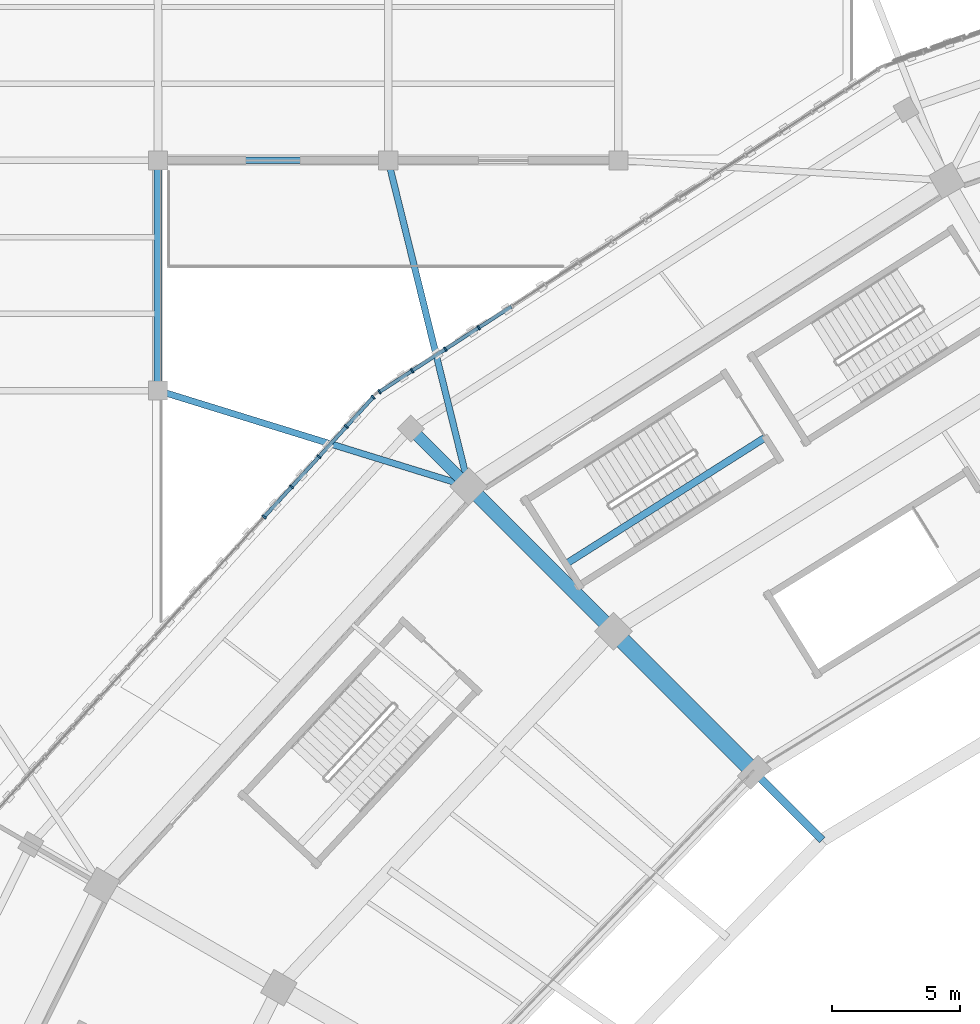
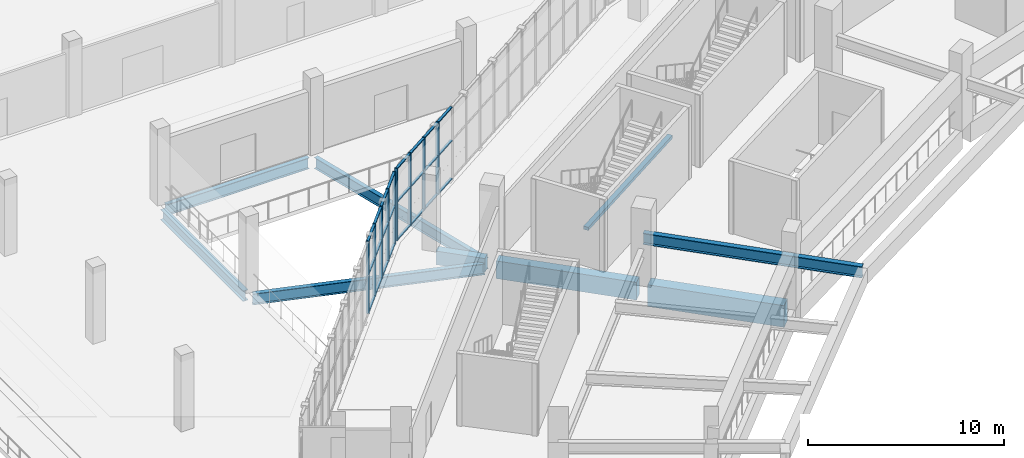
# One storey, part 50 of 179: 33 members, 9 beams, 2 elements without a shape of their own.
"""IFC4 building model written with IfcOpenShell, lengths in metres."""

import ifcopenshell
import ifcopenshell.guid

model = None  # the IFC model being written
_history = None  # IfcOwnerHistory: only IFC2X3 demands one
_inside = {}  # id of a spatial element -> (the spatial element, [elements in it])
_under = {}  # id of a project, library or spatial element -> (it, [spatial elements below it])
_declared = {}  # id of a project -> (the project, [libraries it declares])
_typed = {}  # id of a type object -> (the type object, [elements of that type])
_made_of = {}  # id of a material, layer set ... -> (it, [elements and type objects made of it])


def new_model(schema):
    """Start an empty IFC model of exactly this schema.

    Asked for "IFC4X3", IfcOpenShell would pick the latest addendum, in which some entities
    have other attributes; the version numbers below select the first issue.
    IFC2X3 requires an IfcOwnerHistory on every rooted entity: one is made here for all.
    """
    global model, _history
    if schema == "IFC4X3":
        model = ifcopenshell.file(schema_version=(4, 3, 0, 0))
    else:
        model = ifcopenshell.file(schema=schema)
    _inside.clear()
    _under.clear()
    _declared.clear()
    _typed.clear()
    _made_of.clear()
    _history = None
    if model.schema == "IFC2X3":
        org = make("IfcOrganization", Name="unknown")
        user = make(
            "IfcPersonAndOrganization",
            ThePerson=make("IfcPerson", FamilyName="unknown"),
            TheOrganization=org,
        )
        app = make(
            "IfcApplication",
            ApplicationDeveloper=org,
            Version="unknown",
            ApplicationFullName="unknown",
            ApplicationIdentifier="unknown",
        )
        _history = make(
            "IfcOwnerHistory",
            OwningUser=user,
            OwningApplication=app,
            ChangeAction="ADDED",
            CreationDate=0,
        )
    return model


def make(cls, **values):
    """One entity of the class cls with the attributes given. An attribute that is None is left unset."""
    return model.create_entity(
        cls, **{name: value for name, value in values.items() if value is not None}
    )


def rooted(cls, **values):
    """An entity with a GlobalId (a new one), such as an element, a storey or a relation."""
    return make(cls, GlobalId=ifcopenshell.guid.new(), OwnerHistory=_history, **values)


def si_unit(unit_type, name, prefix=None):
    """IfcSIUnit, for example si_unit("LENGTHUNIT", "METRE", prefix="MILLI")."""
    return make("IfcSIUnit", UnitType=unit_type, Prefix=prefix, Name=name)


def assignment(units):
    """IfcUnitAssignment: the units of a project."""
    return None if units is None else make("IfcUnitAssignment", Units=units)


def point(xyz):
    """IfcCartesianPoint."""
    return None if xyz is None else make("IfcCartesianPoint", Coordinates=xyz)


def direction(xyz):
    """IfcDirection."""
    return None if xyz is None else make("IfcDirection", DirectionRatios=xyz)


def frame(location, z_axis=None, x_axis=None):
    """IfcAxis2Placement3D, a coordinate frame: its origin and axes. An axis left out is left unset."""
    return make(
        "IfcAxis2Placement3D",
        Location=point(location),
        Axis=direction(z_axis),
        RefDirection=direction(x_axis),
    )


def frame_2d(location, x_axis=None):
    """IfcAxis2Placement2D, a coordinate frame in the plane: its origin and x axis."""
    return make(
        "IfcAxis2Placement2D", Location=point(location), RefDirection=direction(x_axis)
    )


def origin():
    """The frame at (0, 0, 0) with its axes left unset."""
    return frame((0.0, 0.0, 0.0))


def origin_2d():
    """The frame at (0, 0) in the plane with its x axis left unset."""
    return frame_2d((0.0, 0.0))


def place(relative_to, where):
    """IfcLocalPlacement: puts the frame where relative to a parent placement (None: the world)."""
    return make(
        "IfcLocalPlacement", PlacementRelTo=relative_to, RelativePlacement=where
    )


def context(
    kind, dimensions, precision=None, world=None, true_north=None, identifier=None
):
    """IfcGeometricRepresentationContext, for example the 3D "Model" context."""
    return make(
        "IfcGeometricRepresentationContext",
        ContextIdentifier=identifier,
        ContextType=kind,
        CoordinateSpaceDimension=dimensions,
        Precision=precision,
        WorldCoordinateSystem=world,
        TrueNorth=true_north,
    )


def subcontext(parent, identifier, kind, view, scale=None):
    """IfcGeometricRepresentationSubContext, for example "Body" below "Model"."""
    return make(
        "IfcGeometricRepresentationSubContext",
        ContextIdentifier=identifier,
        ContextType=kind,
        ParentContext=parent,
        TargetScale=scale,
        TargetView=view,
    )


def project(units=None, contexts=None):
    """IfcProject with its units and contexts."""
    return rooted(
        "IfcProject",
        Name="project",
        RepresentationContexts=contexts,
        UnitsInContext=assignment(units),
    )


def spatial(cls, under=None, at=None, **own):
    """A site, building, storey or space (cls), placed at a placement, below another one or the project."""
    s = rooted(cls, ObjectPlacement=at, **own)
    if under is not None:
        _under.setdefault(under.id(), (under, []))[1].append(s)
    return s


def profile(cls, at=None, kind="AREA", **sizes):
    """A parametric profile (cls). Its sizes go by their IFC names, for example OverallWidth=200.0."""
    return make(cls, ProfileType=kind, Position=at, **sizes)


def rectangle(**sizes):
    """IfcRectangleProfileDef."""
    return profile("IfcRectangleProfileDef", **sizes)


def i_section(**sizes):
    """IfcIShapeProfileDef."""
    return profile("IfcIShapeProfileDef", **sizes)


def extrude(swept, where, along, depth):
    """IfcExtrudedAreaSolid: the profile swept, set in the frame where, extruded along a direction by depth."""
    return make(
        "IfcExtrudedAreaSolid",
        SweptArea=swept,
        Position=where,
        ExtrudedDirection=direction(along),
        Depth=depth,
    )


def shape(context_of_items, identifier, shape_type, items):
    """IfcShapeRepresentation: the items that make up one representation, for example the "Body"."""
    return make(
        "IfcShapeRepresentation",
        ContextOfItems=context_of_items,
        RepresentationIdentifier=identifier,
        RepresentationType=shape_type,
        Items=items,
    )


def material(Name=None, Category=None):
    """IfcMaterial."""
    return make("IfcMaterial", Name=Name, Category=Category)


def material_profile(
    of_material, cross_section, Name=None, Category=None, Priority=None
):
    """IfcMaterialProfile: a cross section and its material."""
    return make(
        "IfcMaterialProfile",
        Name=Name,
        Material=of_material,
        Profile=cross_section,
        Priority=Priority,
        Category=Category,
    )


def profile_set(profiles, Name=None, composite=None):
    """IfcMaterialProfileSet."""
    return make(
        "IfcMaterialProfileSet",
        Name=Name,
        MaterialProfiles=profiles,
        CompositeProfile=composite,
    )


def made_of(thing, what):
    """Note that an element or type object is made of a material, layer set ...; save() writes the relation."""
    if what is not None:
        _made_of.setdefault(what.id(), (what, []))[1].append(thing)
    return thing


def type_object(cls, material=None, **own):
    """A type object (cls), such as IfcWallType, which elements share."""
    return made_of(rooted(cls, **own), material)


def element(
    cls,
    number,
    at=None,
    inside=None,
    cuts=None,
    type_object=None,
    material=None,
    context=None,
    identifier="Body",
    shape_type=None,
    held_by="IfcProductDefinitionShape",
    body=None,
    shapes=None,
    **own,
):
    """One element of the class cls, such as IfcWall. Its Tag is "e" and its number.

    at: its placement. inside: the storey or other place that contains it. cuts: it is an
    opening in that element (IfcRelVoidsElement). A single representation is given by context,
    identifier, shape_type and body (its items); several are given by shapes. held_by: the class
    of the entity that holds the representations. save() writes the other relations.
    """
    e = rooted(cls, Tag="e%d" % number, ObjectPlacement=at, **own)
    if body is not None:
        shapes = [shape(context, identifier, shape_type, body)]
    if shapes is not None:
        e.Representation = make(held_by, Representations=shapes)
    if inside is not None:
        _inside.setdefault(inside.id(), (inside, []))[1].append(e)
    if cuts is not None:
        rooted(
            "IfcRelVoidsElement", RelatingBuildingElement=cuts, RelatedOpeningElement=e
        )
    if type_object is not None:
        _typed.setdefault(type_object.id(), (type_object, []))[1].append(e)
    return made_of(e, material)


def aggregate(whole, parts):
    """IfcRelAggregates: a whole, such as a stair, and the parts it consists of."""
    return rooted("IfcRelAggregates", RelatingObject=whole, RelatedObjects=parts)


def save(model, path):
    """Write the relations noted so far, then the file.

    IfcRelAggregates (storeys below a building ...), IfcRelContainedInSpatialStructure (elements
    in a storey), IfcRelDefinesByType, IfcRelAssociatesMaterial and IfcRelDeclares: one each for
    every whole, place, type object, material and project.
    """
    for whole, parts in _under.values():
        aggregate(whole, parts)
    for where, things in _inside.values():
        rooted(
            "IfcRelContainedInSpatialStructure",
            RelatedElements=things,
            RelatingStructure=where,
        )
    for kind, things in _typed.values():
        rooted("IfcRelDefinesByType", RelatedObjects=things, RelatingType=kind)
    for what, things in _made_of.values():
        rooted("IfcRelAssociatesMaterial", RelatedObjects=things, RelatingMaterial=what)
    for by, libraries in _declared.values():
        rooted("IfcRelDeclares", RelatingContext=by, RelatedDefinitions=libraries)
    model.write(path)


model = new_model("IFC4")

# Units and contexts
model_context = context("Model", 3, precision=1e-05, world=origin(), true_north=direction((0.0, 1.0)))
body_context = subcontext(model_context, "Body", "Model", "MODEL_VIEW")
ifc_project = project(units=[si_unit("LENGTHUNIT", "METRE"), si_unit("AREAUNIT", "SQUARE_METRE"), si_unit("VOLUMEUNIT", "CUBIC_METRE"), si_unit("PLANEANGLEUNIT", "RADIAN"), si_unit("MASSUNIT", "GRAM", prefix="KILO")], contexts=[model_context])

# Site, building, storey
site_placement = place(None, origin())
site = spatial("IfcSite", under=ifc_project, at=site_placement, CompositionType="ELEMENT")
building_placement = place(site_placement, origin())
building = spatial("IfcBuilding", under=site, at=building_placement, Name="Zevraka Park Crest Stadium", CompositionType="ELEMENT")
storey_placement = place(building_placement, frame((0.0, 0.0, 10.199951171875)))
storey = spatial("IfcBuildingStorey", under=building, at=storey_placement, Name="L02", CompositionType="ELEMENT", Elevation=10.199951171875)

# Beams
ifc_material_1 = material(Name="Concrete C40/50", Category="concrete")
ifc_material_profile_1 = material_profile(ifc_material_1, rectangle(XDim=0.64990234375, YDim=1.35009765625, at=origin_2d()), Name="RC 1350x650")
ifc_profile_set_1 = profile_set([ifc_material_profile_1], Name="Concrete C40/50")
beam_type_1 = type_object("IfcBeamType", Name="BG01", PredefinedType="BEAM", material=ifc_profile_set_1)
beam_1_placement = place(storey_placement, frame((59.10888671875, 134.284912109375, -0.68505859375), z_axis=(-0.707157639372, 0.707055919343, 0.0), x_axis=(-0.707055919343, -0.707157639372, 0.0)))
element("IfcBeam", 1, at=beam_1_placement, inside=storey, type_object=beam_type_1, Name="Radial Girder BG01 L02-BC-09", PredefinedType="BEAM", context=body_context, shape_type="SweptSolid", body=[
    extrude(rectangle(XDim=0.64990234375, YDim=1.35009765625, at=origin_2d()), origin(), (0.0, 0.0, 1.0), 7.200439453125),
])
ifc_material_2 = material(Name="Concrete C40/50", Category="concrete")
ifc_material_profile_2 = material_profile(ifc_material_2, rectangle(XDim=0.550048828125, YDim=1.10009765625, at=origin_2d()), Name="RC 1100x550")
ifc_profile_set_2 = profile_set([ifc_material_profile_2], Name="Concrete C40/50")
beam_type_2 = type_object("IfcBeamType", Name="BG02", PredefinedType="BEAM", material=ifc_profile_set_2)
beam_2_placement = place(storey_placement, frame((53.593017578125, 139.800048828125, -0.56005859375), z_axis=(-0.707106781187, 0.707106781187, 0.0), x_axis=(-0.707106781187, -0.707106781187, 0.0)))
element("IfcBeam", 2, at=beam_2_placement, inside=storey, type_object=beam_type_2, Name="Radial Girder BG02 L02-CD-09", PredefinedType="BEAM", context=body_context, shape_type="SweptSolid", body=[
    extrude(rectangle(XDim=0.550048828125, YDim=1.10009765625, at=origin_2d()), origin(), (0.0, 0.0, 1.0), 7.400390625),
])
ifc_material_3 = material(Name="Concrete C40/50", Category="concrete")
ifc_material_profile_3 = material_profile(ifc_material_3, rectangle(XDim=0.449951171875, YDim=0.85009765625, at=origin_2d()), Name="RC 850x450")
ifc_profile_set_3 = profile_set([ifc_material_profile_3], Name="Concrete C40/50")
beam_type_3 = type_object("IfcBeamType", Name="BG03", PredefinedType="BEAM", material=ifc_profile_set_3)
beam_3_placement = place(storey_placement, frame((47.93603515625, 145.45703125, -0.43505859375), z_axis=(-0.706965918589, 0.707247615728, 0.0), x_axis=(-0.707247615728, -0.706965918589, 0.0)))
element("IfcBeam", 3, at=beam_3_placement, inside=storey, type_object=beam_type_3, Name="Radial Girder BG03 L02-DE-09", PredefinedType="BEAM", context=body_context, shape_type="SweptSolid", body=[
    extrude(rectangle(XDim=0.449951171875, YDim=0.85009765625, at=origin_2d()), origin(), (0.0, 0.0, 1.0), 2.60009765625),
])
ifc_material_4 = material(Name="Steel S355", Category="steel")
ifc_material_profile_4 = material_profile(ifc_material_4, i_section(OverallWidth=0.253662109375, OverallDepth=0.68359375, WebThickness=0.012451171875, FlangeThickness=0.01904296875, at=origin_2d()), Name="UKB 686x254x140")
ifc_profile_set_4 = profile_set([ifc_material_profile_4], Name="Steel S355")
beam_type_4 = type_object("IfcBeamType", Name="BG05", PredefinedType="BEAM", material=ifc_profile_set_4)
beam_4_placement = place(storey_placement, frame((36.19091796875, 148.94091796875, -0.629638671875), z_axis=(0.955393662016, -0.295335318882, 0.0), x_axis=(0.295335318882, 0.955393662016, 0.0)))
element("IfcBeam", 4, at=beam_4_placement, inside=storey, type_object=beam_type_4, Name="Wing Link Girder BG05 L02-5/S", PredefinedType="BEAM", context=body_context, shape_type="SweptSolid", body=[
    extrude(i_section(OverallWidth=0.253662109375, OverallDepth=0.68359375, WebThickness=0.012451171875, FlangeThickness=0.01904296875, at=origin_2d()), origin(), (0.0, 0.0, 1.0), 12.13525390625),
])
beam_5_placement = place(storey_placement, frame((36.300048828125, 158.0, -0.629638671875), z_axis=(1.0, 0.0, 0.0), x_axis=(0.0, 1.0, 0.0)))
element("IfcBeam", 5, at=beam_5_placement, inside=storey, type_object=beam_type_4, Name="Wing Girder BG05 L02-56/T", PredefinedType="BEAM", context=body_context, shape_type="SweptSolid", body=[
    extrude(i_section(OverallWidth=0.253662109375, OverallDepth=0.68359375, WebThickness=0.012451171875, FlangeThickness=0.01904296875, at=origin_2d()), origin(), (0.0, 0.0, 1.0), 8.39990234375),
])
beam_6_placement = place(storey_placement, frame((45.048095703125, 157.805908203125, -0.629638671875), z_axis=(0.23959769566, -0.970872259483, 0.0), x_axis=(0.970872259483, 0.23959769566, 0.0)))
element("IfcBeam", 6, at=beam_6_placement, inside=storey, type_object=beam_type_4, Name="Wing Link Girder BG05 L02-6/T", PredefinedType="BEAM", context=body_context, shape_type="SweptSolid", body=[
    extrude(i_section(OverallWidth=0.253662109375, OverallDepth=0.68359375, WebThickness=0.012451171875, FlangeThickness=0.01904296875, at=origin_2d()), origin(), (0.0, 0.0, 1.0), 12.5576171875),
])
ifc_material_5 = material(Name="Steel S355", Category="steel")
ifc_material_profile_5 = material_profile(ifc_material_5, i_section(OverallWidth=0.300048828125, OverallDepth=0.699951171875, WebThickness=0.01708984375, FlangeThickness=0.031982421875, at=origin_2d()), Name="HEB 700")
ifc_profile_set_5 = profile_set([ifc_material_profile_5], Name="Steel S355")
beam_type_5 = type_object("IfcBeamType", Name="BG06", PredefinedType="BEAM", material=ifc_profile_set_5)
beam_7_placement = place(storey_placement, frame((53.804931640625, 139.587890625, 2.670166015625), z_axis=(0.707106781187, -0.707106781187, 0.0), x_axis=(0.707106781187, 0.707106781187, 0.0)))
element("IfcBeam", 7, at=beam_7_placement, inside=storey, type_object=beam_type_5, Name="Upper Tier Back-Spanned Cantilever Girder BG06 09", PredefinedType="BEAM", context=body_context, shape_type="SweptSolid", body=[
    extrude(i_section(OverallWidth=0.300048828125, OverallDepth=0.699951171875, WebThickness=0.01708984375, FlangeThickness=0.031982421875, at=origin_2d()), origin(), (0.0, 0.0, 1.0), 11.5498046875),
])
ifc_material_6 = material(Name="Steel S355", Category="steel")
ifc_material_profile_6 = material_profile(ifc_material_6, i_section(OverallWidth=0.300048828125, OverallDepth=0.64990234375, WebThickness=0.01611328125, FlangeThickness=0.031005859375, at=origin_2d()), Name="HEB 650")
ifc_profile_set_6 = profile_set([ifc_material_profile_6], Name="Steel S355")
beam_type_6 = type_object("IfcBeamType", Name="BG07", PredefinedType="BEAM", material=ifc_profile_set_6)
beam_8_placement = place(storey_placement, frame((36.0, 149.300048828125, -0.613037109375), z_axis=(0.0, 1.0, 0.0), x_axis=(-1.0, 0.0, 0.0)))
element("IfcBeam", 8, at=beam_8_placement, inside=storey, type_object=beam_type_6, Name="Wing Girder BG07 L02-5/ST", PredefinedType="BEAM", context=body_context, shape_type="SweptSolid", body=[
    extrude(i_section(OverallWidth=0.300048828125, OverallDepth=0.64990234375, WebThickness=0.01611328125, FlangeThickness=0.031005859375, at=origin_2d()), origin(), (0.0, 0.0, 1.0), 8.39990234375),
])

# Curtain wall, members
ifc_material_7 = material(Name="Anodised architectural aluminium and laminated safety glass", Category="aluminium")
curtain_wall_type = type_object("IfcCurtainWallType", Name="CW08", PredefinedType="NOTDEFINED", material=ifc_material_7)
curtain_wall_1_placement = place(storey_placement, origin())
curtain_wall_1 = element("IfcCurtainWall", 9, at=curtain_wall_1_placement, inside=storey, type_object=curtain_wall_type, Name="Unitised Ring Curtain Wall CW08 L02-08", PredefinedType="NOTDEFINED")
ifc_material_8 = material(Name="Anodised architectural aluminium", Category="aluminium")
ifc_material_profile_7 = material_profile(ifc_material_8, rectangle(XDim=0.179931640625, YDim=0.06494140625, at=origin_2d()), Name="ALU MULLION 180x65")
ifc_profile_set_7 = profile_set([ifc_material_profile_7], Name="Anodised architectural aluminium")
member_type_1 = type_object("IfcMemberType", Name="CM02", PredefinedType="MULLION", material=ifc_profile_set_7)
member_1_placement = place(storey_placement, frame((48.540771484375, 151.459228515625, 0.0), z_axis=(0.0, 0.0, 1.0), x_axis=(0.543096287444, -0.839670424967, 0.0)))
member_1 = element("IfcMember", 10, at=member_1_placement, type_object=member_type_1, Name="CW08 mullion 13", PredefinedType="MULLION", context=body_context, shape_type="SweptSolid", body=[
    extrude(rectangle(XDim=0.179931640625, YDim=0.06494140625, at=origin_2d()), origin(), (0.0, 0.0, 1.0), 4.5),
])
member_2_placement = place(storey_placement, frame((47.23779296875, 150.616455078125, 0.0), z_axis=(0.0, 0.0, 1.0), x_axis=(0.543096287444, -0.839670424967, 0.0)))
member_2 = element("IfcMember", 11, at=member_2_placement, type_object=member_type_1, Name="CW08 mullion 14", PredefinedType="MULLION", context=body_context, shape_type="SweptSolid", body=[
    extrude(rectangle(XDim=0.179931640625, YDim=0.06494140625, at=origin_2d()), origin(), (0.0, 0.0, 1.0), 4.5),
])
member_3_placement = place(storey_placement, frame((45.934814453125, 149.773681640625, 0.0), z_axis=(0.0, 0.0, 1.0), x_axis=(0.543096287444, -0.839670424967, 0.0)))
member_3 = element("IfcMember", 12, at=member_3_placement, type_object=member_type_1, Name="CW08 mullion 15", PredefinedType="MULLION", context=body_context, shape_type="SweptSolid", body=[
    extrude(rectangle(XDim=0.179931640625, YDim=0.06494140625, at=origin_2d()), origin(), (0.0, 0.0, 1.0), 4.5),
])
member_4_placement = place(storey_placement, frame((44.6591796875, 148.94873046875, 0.0), z_axis=(0.0, 0.0, 1.0), x_axis=(0.543096287444, -0.839670424967, 0.0)))
member_4 = element("IfcMember", 13, at=member_4_placement, type_object=member_type_1, Name="CW08 mullion 16", PredefinedType="MULLION", context=body_context, shape_type="SweptSolid", body=[
    extrude(rectangle(XDim=0.179931640625, YDim=0.06494140625, at=origin_2d()), origin(), (0.0, 0.0, 1.0), 4.5),
])

curtain_wall_2_placement = place(storey_placement, origin())
curtain_wall_2 = element("IfcCurtainWall", 14, at=curtain_wall_2_placement, inside=storey, type_object=curtain_wall_type, Name="Unitised Ring Curtain Wall CW08 L02-09", PredefinedType="NOTDEFINED")
member_5_placement = place(storey_placement, frame((44.4140625, 148.740966796875, 0.0), z_axis=(0.0, 0.0, 1.0), x_axis=(0.739496877097, -0.673159987494, 0.0)))
member_5 = element("IfcMember", 15, at=member_5_placement, type_object=member_type_1, Name="CW08 mullion 1", PredefinedType="MULLION", context=body_context, shape_type="SweptSolid", body=[
    extrude(rectangle(XDim=0.179931640625, YDim=0.06494140625, at=origin_2d()), origin(), (0.0, 0.0, 1.0), 4.5),
])
member_6_placement = place(storey_placement, frame((43.365478515625, 147.5888671875, 0.0), z_axis=(0.0, 0.0, 1.0), x_axis=(0.739496877097, -0.673159987494, 0.0)))
member_6 = element("IfcMember", 16, at=member_6_placement, type_object=member_type_1, Name="CW08 mullion 2", PredefinedType="MULLION", context=body_context, shape_type="SweptSolid", body=[
    extrude(rectangle(XDim=0.179931640625, YDim=0.06494140625, at=origin_2d()), origin(), (0.0, 0.0, 1.0), 4.5),
])
member_7_placement = place(storey_placement, frame((42.294921875, 146.412841796875, 0.0), z_axis=(0.0, 0.0, 1.0), x_axis=(0.739496877097, -0.673159987494, 0.0)))
member_7 = element("IfcMember", 17, at=member_7_placement, type_object=member_type_1, Name="CW08 mullion 3", PredefinedType="MULLION", context=body_context, shape_type="SweptSolid", body=[
    extrude(rectangle(XDim=0.179931640625, YDim=0.06494140625, at=origin_2d()), origin(), (0.0, 0.0, 1.0), 4.5),
])
member_8_placement = place(storey_placement, frame((41.224365234375, 145.23681640625, 0.0), z_axis=(0.0, 0.0, 1.0), x_axis=(0.739496877097, -0.673159987494, 0.0)))
member_8 = element("IfcMember", 18, at=member_8_placement, type_object=member_type_1, Name="CW08 mullion 4", PredefinedType="MULLION", context=body_context, shape_type="SweptSolid", body=[
    extrude(rectangle(XDim=0.179931640625, YDim=0.06494140625, at=origin_2d()), origin(), (0.0, 0.0, 1.0), 4.5),
])
member_9_placement = place(storey_placement, frame((40.15380859375, 144.060791015625, 0.0), z_axis=(0.0, 0.0, 1.0), x_axis=(0.739496877097, -0.673159987494, 0.0)))
member_9 = element("IfcMember", 19, at=member_9_placement, type_object=member_type_1, Name="CW08 mullion 5", PredefinedType="MULLION", context=body_context, shape_type="SweptSolid", body=[
    extrude(rectangle(XDim=0.179931640625, YDim=0.06494140625, at=origin_2d()), origin(), (0.0, 0.0, 1.0), 4.5),
])

# Member
ifc_material_9 = material(Name="Anodised architectural aluminium", Category="aluminium")
ifc_material_profile_8 = material_profile(ifc_material_9, rectangle(XDim=0.139892578125, YDim=0.06494140625, at=origin_2d()), Name="ALU TRANSOM 140x65")
ifc_profile_set_8 = profile_set([ifc_material_profile_8], Name="Anodised architectural aluminium")
member_type_2 = type_object("IfcMemberType", Name="CT02", PredefinedType="USERDEFINED", material=ifc_profile_set_8)
member_10_placement = place(storey_placement, frame((49.81640625, 152.2841796875, 0.032470703125), z_axis=(-0.839675885301, -0.543087845236, 0.0), x_axis=(0.543087845236, -0.839675885301, 0.0)))
member_10 = element("IfcMember", 20, at=member_10_placement, type_object=member_type_2, Name="CW08 transom 12.1", ObjectType="TRANSOM", PredefinedType="USERDEFINED", context=body_context, shape_type="SweptSolid", body=[
    extrude(rectangle(XDim=0.139892578125, YDim=0.06494140625, at=origin_2d()), origin(), (0.0, 0.0, 1.0), 1.486572265625),
])

member_11_placement = place(storey_placement, frame((49.81640625, 152.2841796875, 2.400146484375), z_axis=(-0.839675885301, -0.543087845236, 0.0), x_axis=(0.543087845236, -0.839675885301, 0.0)))
member_11 = element("IfcMember", 21, at=member_11_placement, type_object=member_type_2, Name="CW08 transom 12.2", ObjectType="TRANSOM", PredefinedType="USERDEFINED", context=body_context, shape_type="SweptSolid", body=[
    extrude(rectangle(XDim=0.139892578125, YDim=0.06494140625, at=origin_2d()), origin(), (0.0, 0.0, 1.0), 1.486572265625),
])

member_12_placement = place(storey_placement, frame((49.81640625, 152.2841796875, 4.467529296875), z_axis=(-0.839675885301, -0.543087845236, 0.0), x_axis=(0.543087845236, -0.839675885301, 0.0)))
member_12 = element("IfcMember", 22, at=member_12_placement, type_object=member_type_2, Name="CW08 transom 12.3", ObjectType="TRANSOM", PredefinedType="USERDEFINED", context=body_context, shape_type="SweptSolid", body=[
    extrude(rectangle(XDim=0.139892578125, YDim=0.06494140625, at=origin_2d()), origin(), (0.0, 0.0, 1.0), 1.486572265625),
])

member_13_placement = place(storey_placement, frame((48.513427734375, 151.441650390625, 0.032470703125), z_axis=(-0.839600995064, -0.543203616599, 0.0), x_axis=(0.543203616599, -0.839600995064, 0.0)))
member_13 = element("IfcMember", 23, at=member_13_placement, type_object=member_type_2, Name="CW08 transom 13.1", ObjectType="TRANSOM", PredefinedType="USERDEFINED", context=body_context, shape_type="SweptSolid", body=[
    extrude(rectangle(XDim=0.139892578125, YDim=0.06494140625, at=origin_2d()), origin(), (0.0, 0.0, 1.0), 1.48681640625),
])

member_14_placement = place(storey_placement, frame((48.513427734375, 151.441650390625, 2.400146484375), z_axis=(-0.839600995064, -0.543203616599, 0.0), x_axis=(0.543203616599, -0.839600995064, 0.0)))
member_14 = element("IfcMember", 24, at=member_14_placement, type_object=member_type_2, Name="CW08 transom 13.2", ObjectType="TRANSOM", PredefinedType="USERDEFINED", context=body_context, shape_type="SweptSolid", body=[
    extrude(rectangle(XDim=0.139892578125, YDim=0.06494140625, at=origin_2d()), origin(), (0.0, 0.0, 1.0), 1.48681640625),
])

member_15_placement = place(storey_placement, frame((48.513427734375, 151.441650390625, 4.467529296875), z_axis=(-0.839600995064, -0.543203616599, 0.0), x_axis=(0.543203616599, -0.839600995064, 0.0)))
member_15 = element("IfcMember", 25, at=member_15_placement, type_object=member_type_2, Name="CW08 transom 13.3", ObjectType="TRANSOM", PredefinedType="USERDEFINED", context=body_context, shape_type="SweptSolid", body=[
    extrude(rectangle(XDim=0.139892578125, YDim=0.06494140625, at=origin_2d()), origin(), (0.0, 0.0, 1.0), 1.48681640625),
])

member_16_placement = place(storey_placement, frame((47.210693359375, 150.598876953125, 0.032470703125), z_axis=(-0.839724312152, -0.543012964468, 0.0), x_axis=(0.543012964468, -0.839724312152, 0.0)))
member_16 = element("IfcMember", 26, at=member_16_placement, type_object=member_type_2, Name="CW08 transom 14.1", ObjectType="TRANSOM", PredefinedType="USERDEFINED", context=body_context, shape_type="SweptSolid", body=[
    extrude(rectangle(XDim=0.139892578125, YDim=0.06494140625, at=origin_2d()), origin(), (0.0, 0.0, 1.0), 1.48681640625),
])

member_17_placement = place(storey_placement, frame((47.210693359375, 150.598876953125, 2.400146484375), z_axis=(-0.839724312152, -0.543012964468, 0.0), x_axis=(0.543012964468, -0.839724312152, 0.0)))
member_17 = element("IfcMember", 27, at=member_17_placement, type_object=member_type_2, Name="CW08 transom 14.2", ObjectType="TRANSOM", PredefinedType="USERDEFINED", context=body_context, shape_type="SweptSolid", body=[
    extrude(rectangle(XDim=0.139892578125, YDim=0.06494140625, at=origin_2d()), origin(), (0.0, 0.0, 1.0), 1.48681640625),
])

member_18_placement = place(storey_placement, frame((47.210693359375, 150.598876953125, 4.467529296875), z_axis=(-0.839724312152, -0.543012964468, 0.0), x_axis=(0.543012964468, -0.839724312152, 0.0)))
member_18 = element("IfcMember", 28, at=member_18_placement, type_object=member_type_2, Name="CW08 transom 14.3", ObjectType="TRANSOM", PredefinedType="USERDEFINED", context=body_context, shape_type="SweptSolid", body=[
    extrude(rectangle(XDim=0.139892578125, YDim=0.06494140625, at=origin_2d()), origin(), (0.0, 0.0, 1.0), 1.48681640625),
])

member_19_placement = place(storey_placement, frame((45.90771484375, 149.756103515625, 0.032470703125), z_axis=(-0.839691740377, -0.543063330692, 0.0), x_axis=(0.543063330692, -0.839691740377, 0.0)))
member_19 = element("IfcMember", 29, at=member_19_placement, type_object=member_type_2, Name="CW08 transom 15.1", ObjectType="TRANSOM", PredefinedType="USERDEFINED", context=body_context, shape_type="SweptSolid", body=[
    extrude(rectangle(XDim=0.139892578125, YDim=0.06494140625, at=origin_2d()), origin(), (0.0, 0.0, 1.0), 1.454345703125),
])

member_20_placement = place(storey_placement, frame((45.90771484375, 149.756103515625, 2.400146484375), z_axis=(-0.839691740377, -0.543063330692, 0.0), x_axis=(0.543063330692, -0.839691740377, 0.0)))
member_20 = element("IfcMember", 30, at=member_20_placement, type_object=member_type_2, Name="CW08 transom 15.2", ObjectType="TRANSOM", PredefinedType="USERDEFINED", context=body_context, shape_type="SweptSolid", body=[
    extrude(rectangle(XDim=0.139892578125, YDim=0.06494140625, at=origin_2d()), origin(), (0.0, 0.0, 1.0), 1.454345703125),
])

member_21_placement = place(storey_placement, frame((45.90771484375, 149.756103515625, 4.467529296875), z_axis=(-0.839691740377, -0.543063330692, 0.0), x_axis=(0.543063330692, -0.839691740377, 0.0)))
member_21 = element("IfcMember", 31, at=member_21_placement, type_object=member_type_2, Name="CW08 transom 15.3", ObjectType="TRANSOM", PredefinedType="USERDEFINED", context=body_context, shape_type="SweptSolid", body=[
    extrude(rectangle(XDim=0.139892578125, YDim=0.06494140625, at=origin_2d()), origin(), (0.0, 0.0, 1.0), 1.454345703125),
])

aggregate(curtain_wall_1, [member_1, member_2, member_3, member_4, member_10, member_11, member_12, member_13, member_14, member_15, member_16, member_17, member_18, member_19, member_20, member_21])

member_22_placement = place(storey_placement, frame((44.392333984375, 148.717041015625, 0.032470703125), z_axis=(-0.673217929556, -0.739444128602, 0.0), x_axis=(0.739444128602, -0.673217929556, 0.0)))
member_22 = element("IfcMember", 32, at=member_22_placement, type_object=member_type_2, Name="CW08 transom 1.1", ObjectType="TRANSOM", PredefinedType="USERDEFINED", context=body_context, shape_type="SweptSolid", body=[
    extrude(rectangle(XDim=0.139892578125, YDim=0.06494140625, at=origin_2d()), origin(), (0.0, 0.0, 1.0), 1.492919921875),
])

member_23_placement = place(storey_placement, frame((44.392333984375, 148.717041015625, 2.400146484375), z_axis=(-0.673217929556, -0.739444128602, 0.0), x_axis=(0.739444128602, -0.673217929556, 0.0)))
member_23 = element("IfcMember", 33, at=member_23_placement, type_object=member_type_2, Name="CW08 transom 1.2", ObjectType="TRANSOM", PredefinedType="USERDEFINED", context=body_context, shape_type="SweptSolid", body=[
    extrude(rectangle(XDim=0.139892578125, YDim=0.06494140625, at=origin_2d()), origin(), (0.0, 0.0, 1.0), 1.492919921875),
])

member_24_placement = place(storey_placement, frame((44.392333984375, 148.717041015625, 4.467529296875), z_axis=(-0.673217929556, -0.739444128602, 0.0), x_axis=(0.739444128602, -0.673217929556, 0.0)))
member_24 = element("IfcMember", 34, at=member_24_placement, type_object=member_type_2, Name="CW08 transom 1.3", ObjectType="TRANSOM", PredefinedType="USERDEFINED", context=body_context, shape_type="SweptSolid", body=[
    extrude(rectangle(XDim=0.139892578125, YDim=0.06494140625, at=origin_2d()), origin(), (0.0, 0.0, 1.0), 1.492919921875),
])

member_25_placement = place(storey_placement, frame((43.343505859375, 147.56494140625, 0.032470703125), z_axis=(-0.673198421242, -0.739461889239, 0.0), x_axis=(0.739461889239, -0.673198421242, 0.0)))
member_25 = element("IfcMember", 35, at=member_25_placement, type_object=member_type_2, Name="CW08 transom 2.1", ObjectType="TRANSOM", PredefinedType="USERDEFINED", context=body_context, shape_type="SweptSolid", body=[
    extrude(rectangle(XDim=0.139892578125, YDim=0.06494140625, at=origin_2d()), origin(), (0.0, 0.0, 1.0), 1.525390625),
])

member_26_placement = place(storey_placement, frame((43.343505859375, 147.56494140625, 2.400146484375), z_axis=(-0.673198421242, -0.739461889239, 0.0), x_axis=(0.739461889239, -0.673198421242, 0.0)))
member_26 = element("IfcMember", 36, at=member_26_placement, type_object=member_type_2, Name="CW08 transom 2.2", ObjectType="TRANSOM", PredefinedType="USERDEFINED", context=body_context, shape_type="SweptSolid", body=[
    extrude(rectangle(XDim=0.139892578125, YDim=0.06494140625, at=origin_2d()), origin(), (0.0, 0.0, 1.0), 1.525390625),
])

member_27_placement = place(storey_placement, frame((43.343505859375, 147.56494140625, 4.467529296875), z_axis=(-0.673198421242, -0.739461889239, 0.0), x_axis=(0.739461889239, -0.673198421242, 0.0)))
member_27 = element("IfcMember", 37, at=member_27_placement, type_object=member_type_2, Name="CW08 transom 2.3", ObjectType="TRANSOM", PredefinedType="USERDEFINED", context=body_context, shape_type="SweptSolid", body=[
    extrude(rectangle(XDim=0.139892578125, YDim=0.06494140625, at=origin_2d()), origin(), (0.0, 0.0, 1.0), 1.525390625),
])

member_28_placement = place(storey_placement, frame((42.27294921875, 146.388916015625, 0.032470703125), z_axis=(-0.673118749814, -0.739534413431, 0.0), x_axis=(0.739534413431, -0.673118749814, 0.0)))
member_28 = element("IfcMember", 38, at=member_28_placement, type_object=member_type_2, Name="CW08 transom 3.1", ObjectType="TRANSOM", PredefinedType="USERDEFINED", context=body_context, shape_type="SweptSolid", body=[
    extrude(rectangle(XDim=0.139892578125, YDim=0.06494140625, at=origin_2d()), origin(), (0.0, 0.0, 1.0), 1.525634765625),
])

member_29_placement = place(storey_placement, frame((42.27294921875, 146.388916015625, 2.400146484375), z_axis=(-0.673118749814, -0.739534413431, 0.0), x_axis=(0.739534413431, -0.673118749814, 0.0)))
member_29 = element("IfcMember", 39, at=member_29_placement, type_object=member_type_2, Name="CW08 transom 3.2", ObjectType="TRANSOM", PredefinedType="USERDEFINED", context=body_context, shape_type="SweptSolid", body=[
    extrude(rectangle(XDim=0.139892578125, YDim=0.06494140625, at=origin_2d()), origin(), (0.0, 0.0, 1.0), 1.525634765625),
])

member_30_placement = place(storey_placement, frame((42.27294921875, 146.388916015625, 4.467529296875), z_axis=(-0.673118749814, -0.739534413431, 0.0), x_axis=(0.739534413431, -0.673118749814, 0.0)))
member_30 = element("IfcMember", 40, at=member_30_placement, type_object=member_type_2, Name="CW08 transom 3.3", ObjectType="TRANSOM", PredefinedType="USERDEFINED", context=body_context, shape_type="SweptSolid", body=[
    extrude(rectangle(XDim=0.139892578125, YDim=0.06494140625, at=origin_2d()), origin(), (0.0, 0.0, 1.0), 1.525634765625),
])

member_31_placement = place(storey_placement, frame((41.202392578125, 145.212646484375, 0.032470703125), z_axis=(-0.673198421242, -0.739461889239, 0.0), x_axis=(0.739461889239, -0.673198421242, 0.0)))
member_31 = element("IfcMember", 41, at=member_31_placement, type_object=member_type_2, Name="CW08 transom 4.1", ObjectType="TRANSOM", PredefinedType="USERDEFINED", context=body_context, shape_type="SweptSolid", body=[
    extrude(rectangle(XDim=0.139892578125, YDim=0.06494140625, at=origin_2d()), origin(), (0.0, 0.0, 1.0), 1.525390625),
])

member_32_placement = place(storey_placement, frame((41.202392578125, 145.212646484375, 2.400146484375), z_axis=(-0.673198421242, -0.739461889239, 0.0), x_axis=(0.739461889239, -0.673198421242, 0.0)))
member_32 = element("IfcMember", 42, at=member_32_placement, type_object=member_type_2, Name="CW08 transom 4.2", ObjectType="TRANSOM", PredefinedType="USERDEFINED", context=body_context, shape_type="SweptSolid", body=[
    extrude(rectangle(XDim=0.139892578125, YDim=0.06494140625, at=origin_2d()), origin(), (0.0, 0.0, 1.0), 1.525390625),
])

member_33_placement = place(storey_placement, frame((41.202392578125, 145.212646484375, 4.467529296875), z_axis=(-0.673198421242, -0.739461889239, 0.0), x_axis=(0.739461889239, -0.673198421242, 0.0)))
member_33 = element("IfcMember", 43, at=member_33_placement, type_object=member_type_2, Name="CW08 transom 4.3", ObjectType="TRANSOM", PredefinedType="USERDEFINED", context=body_context, shape_type="SweptSolid", body=[
    extrude(rectangle(XDim=0.139892578125, YDim=0.06494140625, at=origin_2d()), origin(), (0.0, 0.0, 1.0), 1.525390625),
])

aggregate(curtain_wall_2, [member_5, member_6, member_7, member_8, member_9, member_22, member_23, member_24, member_25, member_26, member_27, member_28, member_29, member_30, member_31, member_32, member_33])

# Beam
ifc_material_10 = material(Name="Concrete C40/50", Category="concrete")
ifc_material_profile_9 = material_profile(ifc_material_10, rectangle(XDim=0.280029296875, YDim=0.199951171875, at=origin_2d()), Name="RC 200x280")
ifc_profile_set_9 = profile_set([ifc_material_profile_9], Name="Concrete C40/50")
beam_type_7 = type_object("IfcBeamType", Name="SJ13", PredefinedType="JOIST", material=ifc_profile_set_9)
beam_9_placement = place(storey_placement, frame((59.7294921875, 147.155517578125, 2.300048828125), z_axis=(-0.844396466688, -0.53571877608, 0.0), x_axis=(0.53571877608, -0.844396466688, 0.0)))
element("IfcBeam", 44, at=beam_9_placement, inside=storey, type_object=beam_type_7, Name="Stair Upper-Flight Longitudinal Stringer SJ13 ST28-L02", PredefinedType="JOIST", context=body_context, shape_type="SweptSolid", body=[
    extrude(rectangle(XDim=0.280029296875, YDim=0.199951171875, at=origin_2d()), origin(), (0.0, 0.0, 1.0), 9.249755859375),
])

save(model, "model.ifc")
